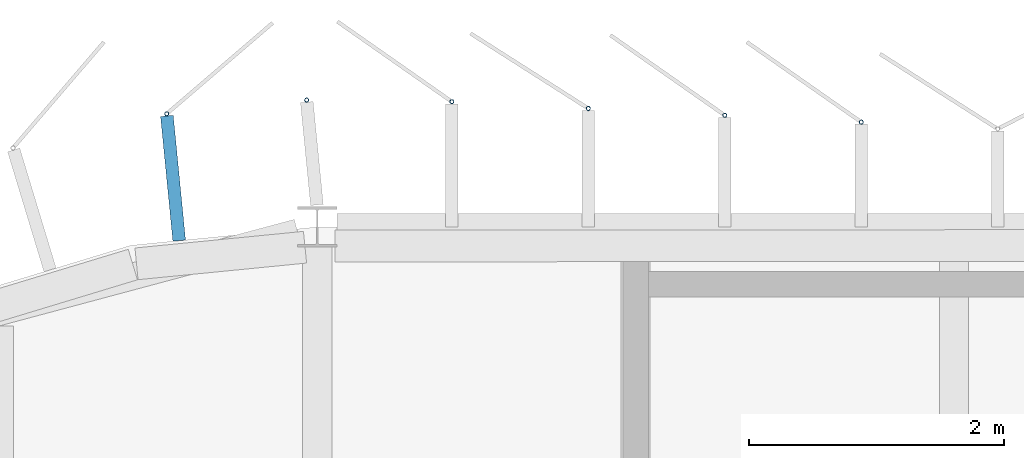
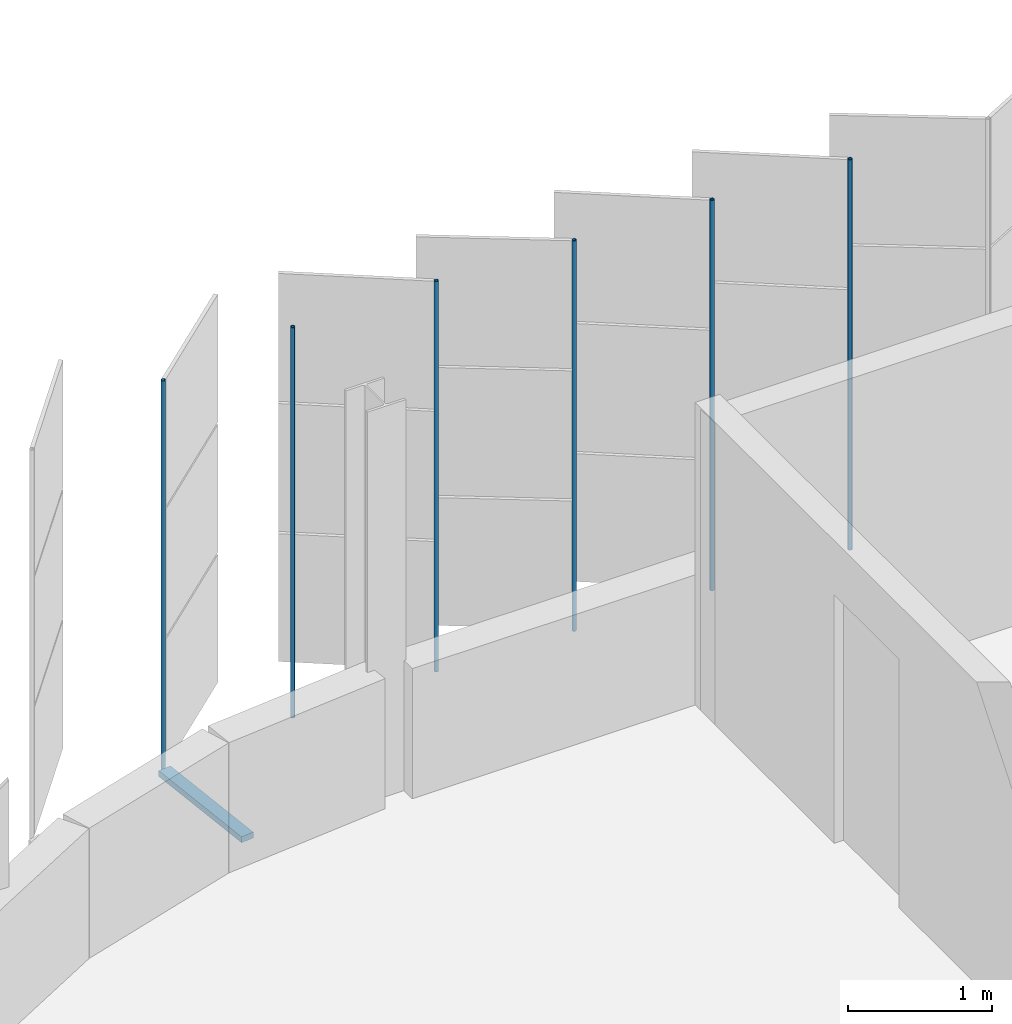
# One storey, part 134 of 199: 7 discrete accessories.
"""IFC4 building model written with IfcOpenShell, lengths in metres."""

from ifc_helpers import new_model, si_unit, direction, frame, origin, origin_2d, place, context, subcontext, project, spatial, rectangle, hollow_circle, extrude, material, material_profile, profile_set, type_object, element, save


model = new_model("IFC4")

# Units and contexts
model_context = context("Model", 3, precision=1e-05, world=origin(), true_north=direction((0.0, 1.0)))
body_context = subcontext(model_context, "Body", "Model", "MODEL_VIEW")
ifc_project = project(units=[si_unit("LENGTHUNIT", "METRE"), si_unit("AREAUNIT", "SQUARE_METRE"), si_unit("VOLUMEUNIT", "CUBIC_METRE"), si_unit("PLANEANGLEUNIT", "RADIAN"), si_unit("MASSUNIT", "GRAM", prefix="KILO")], contexts=[model_context])

# Site, building, storey
site_placement = place(None, origin())
site = spatial("IfcSite", under=ifc_project, at=site_placement, CompositionType="ELEMENT")
building_placement = place(site_placement, origin())
building = spatial("IfcBuilding", under=site, at=building_placement, Name="Parallax Yard Mobility Hub", CompositionType="ELEMENT")
storey_placement = place(building_placement, frame((0.0, 0.0, 9.89990234375)))
storey = spatial("IfcBuildingStorey", under=building, at=storey_placement, Name="L03", CompositionType="ELEMENT", Elevation=9.89990234375)

# Discrete accessories
ifc_material_1 = material(Name="Steel ASTM A36, hot-dip galvanised", Category="steel")
discrete_accessory_type_1 = type_object("IfcDiscreteAccessoryType", Name="Hinge bracket plate 100x50", PredefinedType="BRACKET", material=ifc_material_1)
discrete_accessory_placement = place(storey_placement, frame((28.867919921875, 142.88232421875, -0.02490234375), z_axis=(0.0, 0.0, 1.0), x_axis=(-0.09801714033, 0.995184726672, 0.0)))
element("IfcDiscreteAccessory", 1, at=discrete_accessory_placement, inside=storey, type_object=discrete_accessory_type_1, Name="Hinge bracket plate bay 70.2 level L03", PredefinedType="BRACKET", context=body_context, shape_type="SweptSolid", body=[
    extrude(rectangle(XDim=0.984130859375, YDim=0.10009765625, at=origin_2d()), origin(), (0.0, 0.0, 1.0), 0.050048828125),
])
ifc_material_2 = material(Name="Steel ASTM A500 Gr C, hot-dip galvanised", Category="steel")
ifc_material_profile = material_profile(ifc_material_2, hollow_circle(Radius=0.016845703125, WallThickness=0.003173828125, at=origin_2d()), Name="CHS 33.7x3.2")
ifc_profile_set = profile_set([ifc_material_profile], Name="Steel ASTM A500 Gr C, hot-dip galvanised")
discrete_accessory_type_2 = type_object("IfcDiscreteAccessoryType", Name="Hinge post CHS 33.7x3.2", PredefinedType="BRACKET", material=ifc_profile_set)
for number, where, z_axis, x_axis, name in (
    (2, (34.271240234375, 143.3232421875, 0.0), (0.0, 0.0, 1.0), (1.0, 0.0, 0.0), "Hinge post bay 69.4 level L03"),
    (3, (33.19970703125, 143.376708984375, 0.0), (0.0, 0.0, 1.0), (1.0, 0.0, 0.0), "Hinge post bay 69.5 level L03"),
    (4, (32.128173828125, 143.430419921875, 0.0), (0.0, 0.0, 1.0), (1.0, 0.0, 0.0), "Hinge post bay 69.6 level L03"),
    (5, (31.056396484375, 143.48388671875, 0.0), (0.0, 0.0, 1.0), (1.0, 0.0, 0.0), "Hinge post bay 69.7 level L03"),
    (6, (29.91650390625, 143.49658203125, 0.0), (0.0, 0.0, 1.0), (1.0, 0.0, 0.0), "Hinge post bay 70.1 level L03"),
    (7, (28.818115234375, 143.388427734375, 0.0), (0.0, 0.0, 1.0), (1.0, 0.0, 0.0), "Hinge post bay 70.2 level L03"),
):
    element("IfcDiscreteAccessory", number, at=place(storey_placement, frame(where, z_axis=z_axis, x_axis=x_axis)), inside=storey, type_object=discrete_accessory_type_2, Name=name, PredefinedType="BRACKET", context=body_context, shape_type="SweptSolid", body=[
        extrude(hollow_circle(Radius=0.016845703125, WallThickness=0.003173828125, at=origin_2d()), origin(), (0.0, 0.0, 1.0), 3.300048828125),
    ])

save(model, "model.ifc")
